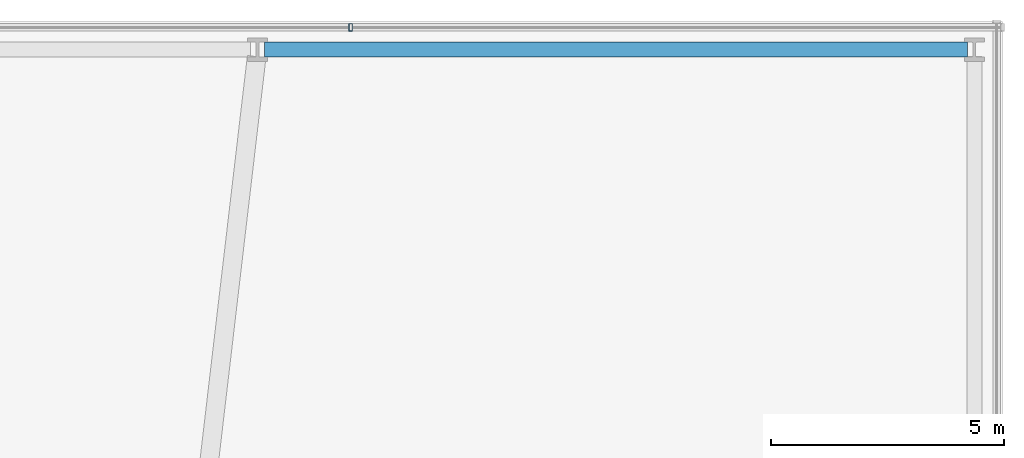
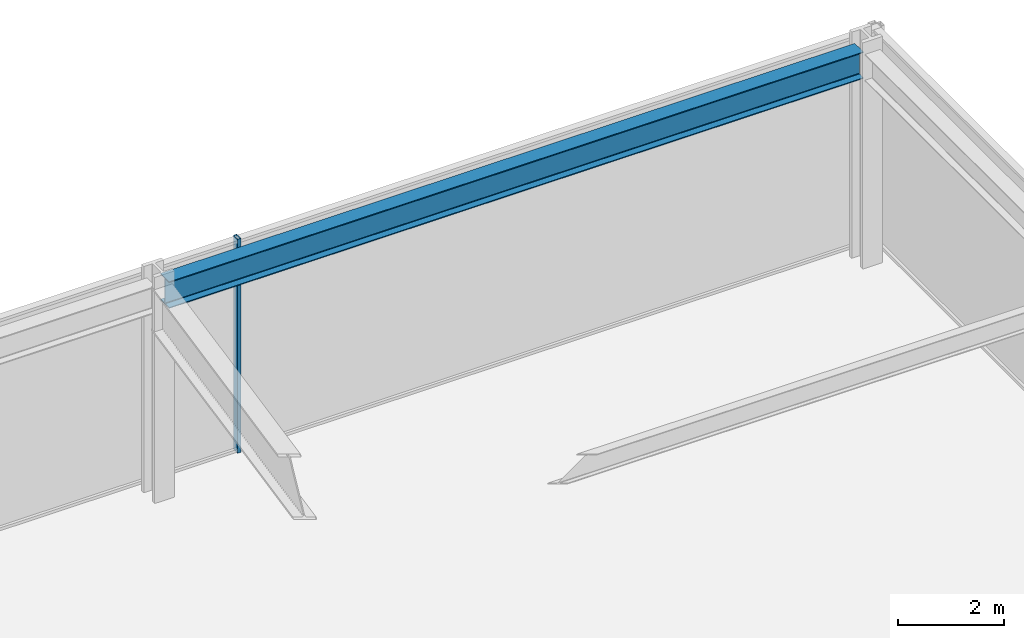
# One storey, part 37 of 49: 1 beam, 1 member, 1 element without a shape of its own.
"""IFC4 building model written with IfcOpenShell, lengths in metres."""

from ifc_helpers import new_model, si_unit, direction, frame, origin, origin_2d, place, context, subcontext, project, spatial, hollow_rectangle, i_section, extrude, material, material_profile, profile_set, type_object, element, aggregate, save


model = new_model("IFC4")

# Units and contexts
model_context = context("Model", 3, precision=1e-05, world=origin(), true_north=direction((0.0, 1.0)))
body_context = subcontext(model_context, "Body", "Model", "MODEL_VIEW")
ifc_project = project(units=[si_unit("LENGTHUNIT", "METRE"), si_unit("AREAUNIT", "SQUARE_METRE"), si_unit("VOLUMEUNIT", "CUBIC_METRE"), si_unit("PLANEANGLEUNIT", "RADIAN"), si_unit("MASSUNIT", "GRAM", prefix="KILO")], contexts=[model_context])

# Site, building, storey
site_placement = place(None, origin())
site = spatial("IfcSite", under=ifc_project, at=site_placement, CompositionType="ELEMENT")
building_placement = place(site_placement, origin())
building = spatial("IfcBuilding", under=site, at=building_placement, Name="Kolvaren Belvedere", CompositionType="ELEMENT")
storey_placement = place(building_placement, frame((0.0, 0.0, 10.0)))
storey = spatial("IfcBuildingStorey", under=building, at=storey_placement, Name="L03", CompositionType="ELEMENT", Elevation=10.0)

# Beam
ifc_material_1 = material(Name="Structural steel ASTM A992 Grade 50", Category="steel")
ifc_material_profile_1 = material_profile(ifc_material_1, i_section(OverallWidth=0.324951171875, OverallDepth=0.615966796875, WebThickness=0.013916015625, FlangeThickness=0.021484375, FilletRadius=0.02001953125, at=origin_2d()), Name="W24X117")
ifc_profile_set_1 = profile_set([ifc_material_profile_1], Name="Structural steel ASTM A992 Grade 50")
beam_type = type_object("IfcBeamType", Name="BM-SPAN-W24X117", PredefinedType="SPANDREL", material=ifc_profile_set_1)
beam_placement = place(storey_placement, frame((12.14990234375, 27.800048828125, 4.612060546875), z_axis=(1.0, 0.0, 0.0), x_axis=(0.0, 1.0, 0.0)))
element("IfcBeam", 1, at=beam_placement, inside=storey, type_object=beam_type, Name="L03 North Podium Spandrel 3", PredefinedType="SPANDREL", context=body_context, shape_type="SweptSolid", body=[
    extrude(i_section(OverallWidth=0.324951171875, OverallDepth=0.615966796875, WebThickness=0.013916015625, FlangeThickness=0.021484375, FilletRadius=0.02001953125, at=origin_2d()), origin(), (0.0, 0.0, 1.0), 15.10009765625),
])

# Curtain wall, member
ifc_material_2 = material(Name="Anodised pale-metal aluminium AA 6063-T6", Category="aluminium")
curtain_wall_type = type_object("IfcCurtainWallType", Name="CW-POD-A", PredefinedType="NOTDEFINED", material=ifc_material_2)
curtain_wall_placement = place(storey_placement, origin())
curtain_wall = element("IfcCurtainWall", 2, at=curtain_wall_placement, inside=storey, type_object=curtain_wall_type, Name="L03 Unitised Curtain Wall FCW-L03-SEG7", PredefinedType="NOTDEFINED")
ifc_material_3 = material(Name="Anodised pale-metal aluminium AA 6063-T6", Category="aluminium")
ifc_material_profile_2 = material_profile(ifc_material_3, hollow_rectangle(XDim=0.074951171875, YDim=0.159912109375, WallThickness=0.00439453125, at=origin_2d()), Name="ALU-MUL-160X75")
ifc_profile_set_2 = profile_set([ifc_material_profile_2], Name="Anodised pale-metal aluminium AA 6063-T6")
member_type = type_object("IfcMemberType", Name="CW-MUL-160", PredefinedType="MULLION", material=ifc_profile_set_2)
member_placement = place(storey_placement, frame((14.0, 28.280029296875, 0.0), z_axis=(0.0, 0.0, 1.0), x_axis=(1.0, 0.0, 0.0)))
member = element("IfcMember", 3, at=member_placement, type_object=member_type, Name="FCW-L03-SEG7 Unitised Mullion 4", PredefinedType="MULLION", context=body_context, shape_type="SweptSolid", body=[
    extrude(hollow_rectangle(XDim=0.074951171875, YDim=0.159912109375, WallThickness=0.00439453125, at=origin_2d()), origin(), (0.0, 0.0, 1.0), 4.919921875),
])
aggregate(curtain_wall, [member])

save(model, "model.ifc")
